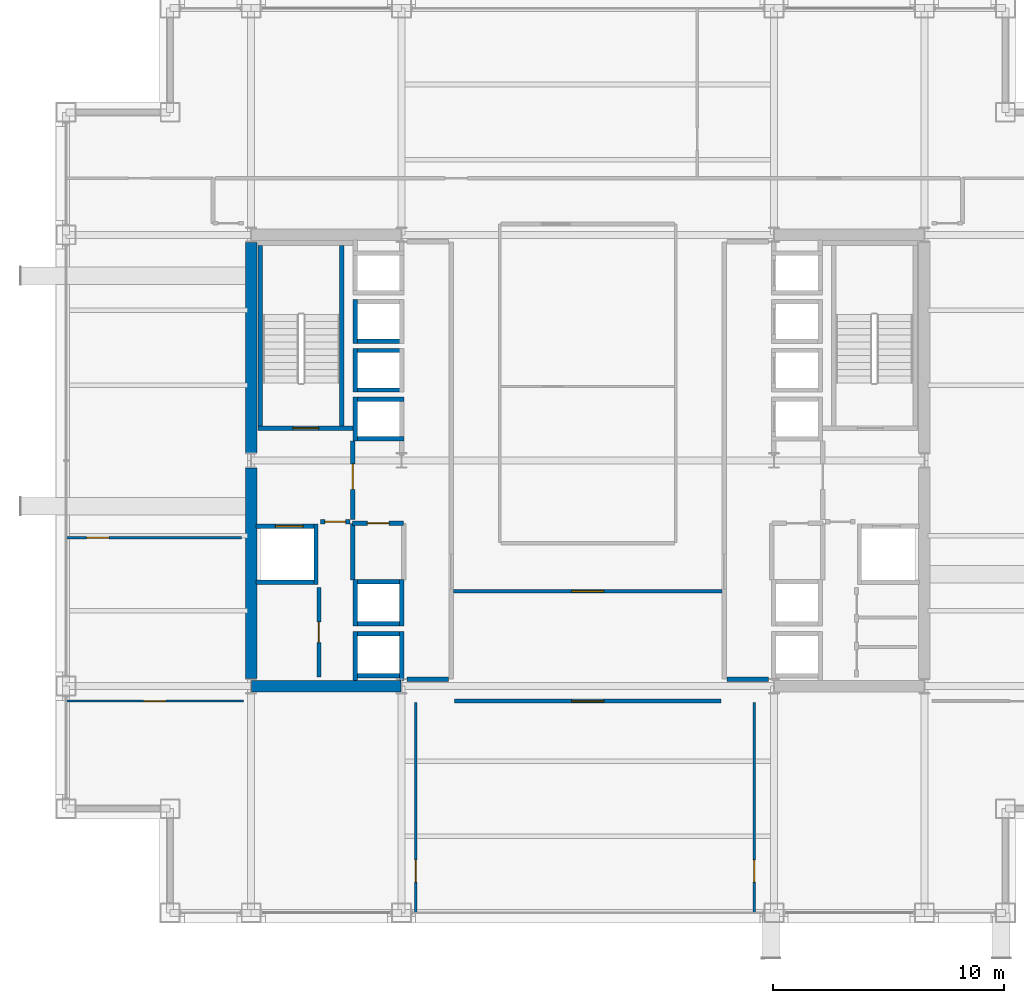
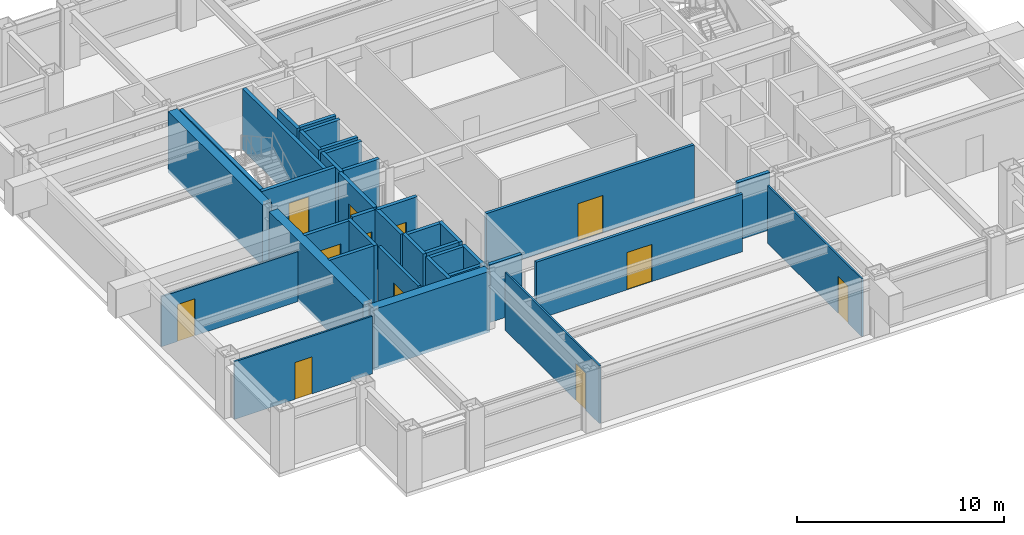
# One storey, part 24 of 28: 38 walls, 12 doors, 12 openings.
"""IFC4 building model written with IfcOpenShell, lengths in metres."""

import ifcopenshell
import ifcopenshell.guid

model = None  # the IFC model being written
_history = None  # IfcOwnerHistory: only IFC2X3 demands one
_inside = {}  # id of a spatial element -> (the spatial element, [elements in it])
_under = {}  # id of a project, library or spatial element -> (it, [spatial elements below it])
_declared = {}  # id of a project -> (the project, [libraries it declares])
_typed = {}  # id of a type object -> (the type object, [elements of that type])
_made_of = {}  # id of a material, layer set ... -> (it, [elements and type objects made of it])


def new_model(schema):
    """Start an empty IFC model of exactly this schema.

    Asked for "IFC4X3", IfcOpenShell would pick the latest addendum, in which some entities
    have other attributes; the version numbers below select the first issue.
    IFC2X3 requires an IfcOwnerHistory on every rooted entity: one is made here for all.
    """
    global model, _history
    if schema == "IFC4X3":
        model = ifcopenshell.file(schema_version=(4, 3, 0, 0))
    else:
        model = ifcopenshell.file(schema=schema)
    _inside.clear()
    _under.clear()
    _declared.clear()
    _typed.clear()
    _made_of.clear()
    _history = None
    if model.schema == "IFC2X3":
        org = make("IfcOrganization", Name="unknown")
        user = make(
            "IfcPersonAndOrganization",
            ThePerson=make("IfcPerson", FamilyName="unknown"),
            TheOrganization=org,
        )
        app = make(
            "IfcApplication",
            ApplicationDeveloper=org,
            Version="unknown",
            ApplicationFullName="unknown",
            ApplicationIdentifier="unknown",
        )
        _history = make(
            "IfcOwnerHistory",
            OwningUser=user,
            OwningApplication=app,
            ChangeAction="ADDED",
            CreationDate=0,
        )
    return model


def make(cls, **values):
    """One entity of the class cls with the attributes given. An attribute that is None is left unset."""
    return model.create_entity(
        cls, **{name: value for name, value in values.items() if value is not None}
    )


def rooted(cls, **values):
    """An entity with a GlobalId (a new one), such as an element, a storey or a relation."""
    return make(cls, GlobalId=ifcopenshell.guid.new(), OwnerHistory=_history, **values)


def si_unit(unit_type, name, prefix=None):
    """IfcSIUnit, for example si_unit("LENGTHUNIT", "METRE", prefix="MILLI")."""
    return make("IfcSIUnit", UnitType=unit_type, Prefix=prefix, Name=name)


def assignment(units):
    """IfcUnitAssignment: the units of a project."""
    return None if units is None else make("IfcUnitAssignment", Units=units)


def point(xyz):
    """IfcCartesianPoint."""
    return None if xyz is None else make("IfcCartesianPoint", Coordinates=xyz)


def direction(xyz):
    """IfcDirection."""
    return None if xyz is None else make("IfcDirection", DirectionRatios=xyz)


def frame(location, z_axis=None, x_axis=None):
    """IfcAxis2Placement3D, a coordinate frame: its origin and axes. An axis left out is left unset."""
    return make(
        "IfcAxis2Placement3D",
        Location=point(location),
        Axis=direction(z_axis),
        RefDirection=direction(x_axis),
    )


def frame_2d(location, x_axis=None):
    """IfcAxis2Placement2D, a coordinate frame in the plane: its origin and x axis."""
    return make(
        "IfcAxis2Placement2D", Location=point(location), RefDirection=direction(x_axis)
    )


def origin():
    """The frame at (0, 0, 0) with its axes left unset."""
    return frame((0.0, 0.0, 0.0))


def place(relative_to, where):
    """IfcLocalPlacement: puts the frame where relative to a parent placement (None: the world)."""
    return make(
        "IfcLocalPlacement", PlacementRelTo=relative_to, RelativePlacement=where
    )


def context(
    kind, dimensions, precision=None, world=None, true_north=None, identifier=None
):
    """IfcGeometricRepresentationContext, for example the 3D "Model" context."""
    return make(
        "IfcGeometricRepresentationContext",
        ContextIdentifier=identifier,
        ContextType=kind,
        CoordinateSpaceDimension=dimensions,
        Precision=precision,
        WorldCoordinateSystem=world,
        TrueNorth=true_north,
    )


def subcontext(parent, identifier, kind, view, scale=None):
    """IfcGeometricRepresentationSubContext, for example "Body" below "Model"."""
    return make(
        "IfcGeometricRepresentationSubContext",
        ContextIdentifier=identifier,
        ContextType=kind,
        ParentContext=parent,
        TargetScale=scale,
        TargetView=view,
    )


def project(units=None, contexts=None):
    """IfcProject with its units and contexts."""
    return rooted(
        "IfcProject",
        Name="project",
        RepresentationContexts=contexts,
        UnitsInContext=assignment(units),
    )


def spatial(cls, under=None, at=None, **own):
    """A site, building, storey or space (cls), placed at a placement, below another one or the project."""
    s = rooted(cls, ObjectPlacement=at, **own)
    if under is not None:
        _under.setdefault(under.id(), (under, []))[1].append(s)
    return s


def profile(cls, at=None, kind="AREA", **sizes):
    """A parametric profile (cls). Its sizes go by their IFC names, for example OverallWidth=200.0."""
    return make(cls, ProfileType=kind, Position=at, **sizes)


def rectangle(**sizes):
    """IfcRectangleProfileDef."""
    return profile("IfcRectangleProfileDef", **sizes)


def extrude(swept, where, along, depth):
    """IfcExtrudedAreaSolid: the profile swept, set in the frame where, extruded along a direction by depth."""
    return make(
        "IfcExtrudedAreaSolid",
        SweptArea=swept,
        Position=where,
        ExtrudedDirection=direction(along),
        Depth=depth,
    )


def shape(context_of_items, identifier, shape_type, items):
    """IfcShapeRepresentation: the items that make up one representation, for example the "Body"."""
    return make(
        "IfcShapeRepresentation",
        ContextOfItems=context_of_items,
        RepresentationIdentifier=identifier,
        RepresentationType=shape_type,
        Items=items,
    )


def material(Name=None, Category=None):
    """IfcMaterial."""
    return make("IfcMaterial", Name=Name, Category=Category)


def layer(
    of_material, thickness, ventilated=None, Name=None, Category=None, Priority=None
):
    """IfcMaterialLayer: one layer of a wall or slab, of a material (None: an air gap)."""
    return make(
        "IfcMaterialLayer",
        Material=of_material,
        LayerThickness=thickness,
        IsVentilated=ventilated,
        Name=Name,
        Category=Category,
        Priority=Priority,
    )


def layer_set(layers, Name=None):
    """IfcMaterialLayerSet."""
    return make("IfcMaterialLayerSet", MaterialLayers=layers, LayerSetName=Name)


def made_of(thing, what):
    """Note that an element or type object is made of a material, layer set ...; save() writes the relation."""
    if what is not None:
        _made_of.setdefault(what.id(), (what, []))[1].append(thing)
    return thing


def type_object(cls, material=None, **own):
    """A type object (cls), such as IfcWallType, which elements share."""
    return made_of(rooted(cls, **own), material)


def element(
    cls,
    number,
    at=None,
    inside=None,
    cuts=None,
    type_object=None,
    material=None,
    context=None,
    identifier="Body",
    shape_type=None,
    held_by="IfcProductDefinitionShape",
    body=None,
    shapes=None,
    **own,
):
    """One element of the class cls, such as IfcWall. Its Tag is "e" and its number.

    at: its placement. inside: the storey or other place that contains it. cuts: it is an
    opening in that element (IfcRelVoidsElement). A single representation is given by context,
    identifier, shape_type and body (its items); several are given by shapes. held_by: the class
    of the entity that holds the representations. save() writes the other relations.
    """
    e = rooted(cls, Tag="e%d" % number, ObjectPlacement=at, **own)
    if body is not None:
        shapes = [shape(context, identifier, shape_type, body)]
    if shapes is not None:
        e.Representation = make(held_by, Representations=shapes)
    if inside is not None:
        _inside.setdefault(inside.id(), (inside, []))[1].append(e)
    if cuts is not None:
        rooted(
            "IfcRelVoidsElement", RelatingBuildingElement=cuts, RelatedOpeningElement=e
        )
    if type_object is not None:
        _typed.setdefault(type_object.id(), (type_object, []))[1].append(e)
    return made_of(e, material)


def fill(opening, filler):
    """IfcRelFillsElement: the door or window that sits in an opening."""
    return rooted(
        "IfcRelFillsElement",
        RelatingOpeningElement=opening,
        RelatedBuildingElement=filler,
    )


def aggregate(whole, parts):
    """IfcRelAggregates: a whole, such as a stair, and the parts it consists of."""
    return rooted("IfcRelAggregates", RelatingObject=whole, RelatedObjects=parts)


def save(model, path):
    """Write the relations noted so far, then the file.

    IfcRelAggregates (storeys below a building ...), IfcRelContainedInSpatialStructure (elements
    in a storey), IfcRelDefinesByType, IfcRelAssociatesMaterial and IfcRelDeclares: one each for
    every whole, place, type object, material and project.
    """
    for whole, parts in _under.values():
        aggregate(whole, parts)
    for where, things in _inside.values():
        rooted(
            "IfcRelContainedInSpatialStructure",
            RelatedElements=things,
            RelatingStructure=where,
        )
    for kind, things in _typed.values():
        rooted("IfcRelDefinesByType", RelatedObjects=things, RelatingType=kind)
    for what, things in _made_of.values():
        rooted("IfcRelAssociatesMaterial", RelatedObjects=things, RelatingMaterial=what)
    for by, libraries in _declared.values():
        rooted("IfcRelDeclares", RelatingContext=by, RelatedDefinitions=libraries)
    model.write(path)


model = new_model("IFC4")

# Units and contexts
model_context = context("Model", 3, precision=1e-05, world=origin(), true_north=direction((0.0, 1.0)))
body_context = subcontext(model_context, "Body", "Model", "MODEL_VIEW")
ifc_project = project(units=[si_unit("LENGTHUNIT", "METRE"), si_unit("AREAUNIT", "SQUARE_METRE"), si_unit("VOLUMEUNIT", "CUBIC_METRE"), si_unit("PLANEANGLEUNIT", "RADIAN"), si_unit("MASSUNIT", "GRAM", prefix="KILO")], contexts=[model_context])

# Site, building, storey
site_placement = place(None, origin())
site = spatial("IfcSite", under=ifc_project, at=site_placement, CompositionType="ELEMENT")
building_placement = place(site_placement, origin())
building = spatial("IfcBuilding", under=site, at=building_placement, Name="Brelmoor Portico Tower", CompositionType="ELEMENT")
storey_placement = place(building_placement, frame((0.0, 0.0, 91.800048828125)))
storey = spatial("IfcBuildingStorey", under=building, at=storey_placement, Name="L23", CompositionType="ELEMENT", Elevation=91.800048828125)

# Walls
ifc_material_1 = material(Name="Concrete C60", Category="concrete")
ifc_layer_1 = layer(ifc_material_1, 0.5)
ifc_layer_set_1 = layer_set([ifc_layer_1], Name="Concrete C60")
wall_type_1 = type_object("IfcWallType", Name="WL-CORE-500", PredefinedType="SHEAR", material=ifc_layer_set_1)
wall_1_placement = place(storey_placement, frame((-14.530029296875, -9.75, -0.199951171875), z_axis=(0.0, 0.0, 1.0), x_axis=(1.0, 0.0, 0.0)))
element("IfcWall", 1, at=wall_1_placement, inside=storey, type_object=wall_type_1, Name="L23 WC South Shear Wall", PredefinedType="SHEAR", context=body_context, shape_type="SweptSolid", body=[
    extrude(rectangle(XDim=6.4599609375, YDim=0.5, at=frame_2d((3.22998046875, 0.0))), origin(), (0.0, 0.0, 1.0), 3.599853515625),
])
for number, where, z_axis, x_axis, name in (
    (2, (-14.550048828125, -9.425048828125, -0.199951171875), (0.0, 0.0, 1.0), (0.0, 1.0, 0.0), "L23 WC Outer South Shear Wall"),
    (3, (-14.550048828125, 0.324951171875, -0.199951171875), (0.0, 0.0, 1.0), (0.0, 1.0, 0.0), "L23 WC Outer North Shear Wall"),
):
    element("IfcWall", number, at=place(storey_placement, frame(where, z_axis=z_axis, x_axis=x_axis)), inside=storey, type_object=wall_type_1, Name=name, PredefinedType="SHEAR", context=body_context, shape_type="SweptSolid", body=[
        extrude(rectangle(XDim=9.10009765625, YDim=0.5, at=frame_2d((4.550048828125, 0.0))), origin(), (0.0, 0.0, 1.0), 3.599853515625),
    ])

# Wall, opening, door
ifc_material_2 = material(Name="Demountable Glazed Office Partition", Category="aluminium")
ifc_layer_2 = layer(ifc_material_2, 0.10009765625)
ifc_layer_set_2 = layer_set([ifc_layer_2], Name="Demountable Glazed Office Partition")
wall_type_2 = type_object("IfcWallType", Name="WL-PART-100", PredefinedType="PARTITIONING", material=ifc_layer_set_2)
wall_2_placement = place(storey_placement, frame((-7.4404296875, -19.56005859375, 0.0), z_axis=(0.0, 0.0, 1.0), x_axis=(0.0, 1.0, 0.0)))
wall_2 = element("IfcWall", 4, at=wall_2_placement, inside=storey, type_object=wall_type_2, Name="L23 South Suite Partition 1", PredefinedType="PARTITIONING", context=body_context, shape_type="SweptSolid", body=[
    extrude(rectangle(XDim=9.10009765625, YDim=0.10009765625, at=frame_2d((4.550048828125, 0.0))), origin(), (0.0, 0.0, 1.0), 3.39990234375),
])
opening_1_placement = place(wall_2_placement, frame((1.340087890625, 0.0, 0.0)))
opening_1 = element("IfcOpeningElement", 5, at=opening_1_placement, cuts=wall_2, Name="Opening D-IN2", PredefinedType="OPENING", context=body_context, shape_type="SweptSolid", body=[
    extrude(rectangle(XDim=0.9599609375, YDim=2.179931640625, at=frame_2d((0.47998046875, 1.08984375))), frame((0.0, 0.06005859375, 0.0), z_axis=(0.0, -1.0, 0.0), x_axis=(1.0, 0.0, 0.0)), (0.0, 0.0, 1.0), 0.1201171875),
])
ifc_material_3 = material(Name="Lacquered Timber Suite Door", Category="wood")
door_type_1 = type_object("IfcDoorType", Name="DR-INT-950", OperationType="NOTDEFINED", PredefinedType="DOOR", material=ifc_material_3)
door_1_placement = place(opening_1_placement, origin())
door_1 = element("IfcDoor", 6, at=door_1_placement, inside=storey, type_object=door_type_1, Name="D-1037 L23 South Suite Connecting Door 1", OperationType="SINGLE_SWING_LEFT", OverallHeight=2.179931640625, OverallWidth=0.9599609375, PredefinedType="DOOR", context=body_context, shape_type="SweptSolid", body=[
    extrude(rectangle(XDim=0.9599609375, YDim=2.179931640625, at=frame_2d((0.47998046875, 1.08984375))), frame((0.0, 0.02490234375, 0.0), z_axis=(0.0, -1.0, 0.0), x_axis=(1.0, 0.0, 0.0)), (0.0, 0.0, 1.0), 0.050048828125),
])
fill(opening_1, door_1)

wall_3_placement = place(storey_placement, frame((7.199951171875, -19.56005859375, 0.0), z_axis=(0.0, 0.0, 1.0), x_axis=(0.0, 1.0, 0.0)))
wall_3 = element("IfcWall", 7, at=wall_3_placement, inside=storey, type_object=wall_type_2, Name="L23 South Suite Partition 2", PredefinedType="PARTITIONING", context=body_context, shape_type="SweptSolid", body=[
    extrude(rectangle(XDim=9.10009765625, YDim=0.10009765625, at=frame_2d((4.550048828125, 0.0))), origin(), (0.0, 0.0, 1.0), 3.39990234375),
])
opening_2_placement = place(wall_3_placement, frame((1.340087890625, 0.0, 0.0)))
opening_2 = element("IfcOpeningElement", 8, at=opening_2_placement, cuts=wall_3, Name="Opening D-IN2", PredefinedType="OPENING", context=body_context, shape_type="SweptSolid", body=[
    extrude(rectangle(XDim=0.9599609375, YDim=2.179931640625, at=frame_2d((0.47998046875, 1.08984375))), frame((0.0, 0.06005859375, 0.0), z_axis=(0.0, -1.0, 0.0), x_axis=(1.0, 0.0, 0.0)), (0.0, 0.0, 1.0), 0.1201171875),
])
door_2_placement = place(opening_2_placement, origin())
door_2 = element("IfcDoor", 9, at=door_2_placement, inside=storey, type_object=door_type_1, Name="D-1038 L23 South Suite Connecting Door 2", OperationType="SINGLE_SWING_RIGHT", OverallHeight=2.179931640625, OverallWidth=0.9599609375, PredefinedType="DOOR", context=body_context, shape_type="SweptSolid", body=[
    extrude(rectangle(XDim=0.9599609375, YDim=2.179931640625, at=frame_2d((0.47998046875, 1.08984375))), frame((0.0, 0.02490234375, 0.0), z_axis=(0.0, -1.0, 0.0), x_axis=(1.0, 0.0, 0.0)), (0.0, 0.0, 1.0), 0.050048828125),
])
fill(opening_2, door_2)

wall_4_placement = place(storey_placement, frame((-22.56005859375, -10.39990234375, 0.0), z_axis=(0.0, 0.0, 1.0), x_axis=(1.0, 0.0, 0.0)))
wall_4 = element("IfcWall", 10, at=wall_4_placement, inside=storey, type_object=wall_type_2, Name="L23 South Wing Closure WL", PredefinedType="PARTITIONING", context=body_context, shape_type="SweptSolid", body=[
    extrude(rectangle(XDim=7.68017578125, YDim=0.10009765625, at=frame_2d((3.840087890625, 0.0))), origin(), (0.0, 0.0, 1.0), 3.39990234375),
])
opening_3_placement = place(wall_4_placement, frame((3.360107421875, 0.0, 0.0)))
opening_3 = element("IfcOpeningElement", 11, at=opening_3_placement, cuts=wall_4, Name="Opening D-IN2", PredefinedType="OPENING", context=body_context, shape_type="SweptSolid", body=[
    extrude(rectangle(XDim=0.9599609375, YDim=2.179931640625, at=frame_2d((0.47998046875, 1.08984375))), frame((0.0, 0.06005859375, 0.0), z_axis=(0.0, -1.0, 0.0), x_axis=(1.0, 0.0, 0.0)), (0.0, 0.0, 1.0), 0.1201171875),
])
door_3_placement = place(opening_3_placement, origin())
door_3 = element("IfcDoor", 12, at=door_3_placement, inside=storey, type_object=door_type_1, Name="D-1042 L23 WL Wing South Suite Door", OperationType="SINGLE_SWING_LEFT", OverallHeight=2.179931640625, OverallWidth=0.9599609375, PredefinedType="DOOR", context=body_context, shape_type="SweptSolid", body=[
    extrude(rectangle(XDim=0.9599609375, YDim=2.179931640625, at=frame_2d((0.47998046875, 1.08984375))), frame((0.0, 0.02490234375, 0.0), z_axis=(0.0, -1.0, 0.0), x_axis=(1.0, 0.0, 0.0)), (0.0, 0.0, 1.0), 0.050048828125),
])
fill(opening_3, door_3)

wall_5_placement = place(storey_placement, frame((-22.56005859375, -3.33642578125, 0.0), z_axis=(0.0, 0.0, 1.0), x_axis=(1.0, 0.0, 0.0)))
wall_5 = element("IfcWall", 13, at=wall_5_placement, inside=storey, type_object=wall_type_2, Name="L23 W Wing Partition 1", PredefinedType="PARTITIONING", context=body_context, shape_type="SweptSolid", body=[
    extrude(rectangle(XDim=7.60009765625, YDim=0.10009765625, at=frame_2d((3.800048828125, 0.0))), origin(), (0.0, 0.0, 1.0), 2.949951171875),
])
opening_4_placement = place(wall_5_placement, frame((0.89990234375, 0.0, 0.0)))
opening_4 = element("IfcOpeningElement", 14, at=opening_4_placement, cuts=wall_5, Name="Opening D-IN2", PredefinedType="OPENING", context=body_context, shape_type="SweptSolid", body=[
    extrude(rectangle(XDim=0.9599609375, YDim=2.179931640625, at=frame_2d((0.47998046875, 1.08984375))), frame((0.0, 0.06005859375, 0.0), z_axis=(0.0, -1.0, 0.0), x_axis=(1.0, 0.0, 0.0)), (0.0, 0.0, 1.0), 0.1201171875),
])
door_4_placement = place(opening_4_placement, origin())
door_4 = element("IfcDoor", 15, at=door_4_placement, inside=storey, type_object=door_type_1, Name="D-1045 L23 W Wing Suite Connecting Door 1", OperationType="SINGLE_SWING_RIGHT", OverallHeight=2.179931640625, OverallWidth=0.9599609375, PredefinedType="DOOR", context=body_context, shape_type="SweptSolid", body=[
    extrude(rectangle(XDim=0.9599609375, YDim=2.179931640625, at=frame_2d((0.47998046875, 1.08984375))), frame((0.0, 0.02490234375, 0.0), z_axis=(0.0, -1.0, 0.0), x_axis=(1.0, 0.0, 0.0)), (0.0, 0.0, 1.0), 0.050048828125),
])
fill(opening_4, door_4)

ifc_material_4 = material(Name="Twin-Frame Acoustic Partition", Category="gypsum")
ifc_layer_3 = layer(ifc_material_4, 0.159912109375)
ifc_layer_set_3 = layer_set([ifc_layer_3], Name="Twin-Frame Acoustic Partition")
wall_type_3 = type_object("IfcWallType", Name="WL-PART-160", PredefinedType="PARTITIONING", material=ifc_layer_set_3)
wall_6_placement = place(storey_placement, frame((-11.6201171875, -9.35009765625, 0.0), z_axis=(0.0, 0.0, 1.0), x_axis=(0.0, 1.0, 0.0)))
wall_6 = element("IfcWall", 16, at=wall_6_placement, inside=storey, type_object=wall_type_3, Name="L23 W Core Service Front Wall", PredefinedType="PARTITIONING", context=body_context, shape_type="SweptSolid", body=[
    extrude(rectangle(XDim=3.85009765625, YDim=0.159912109375, at=frame_2d((1.925048828125, 0.0))), origin(), (0.0, 0.0, 1.0), 3.39990234375),
])
opening_5_placement = place(wall_6_placement, frame((1.47509765625, 0.0, 0.0)))
opening_5 = element("IfcOpeningElement", 17, at=opening_5_placement, cuts=wall_6, Name="Opening D-IN1", PredefinedType="OPENING", context=body_context, shape_type="SweptSolid", body=[
    extrude(rectangle(XDim=0.89990234375, YDim=2.14990234375, at=frame_2d((0.449951171875, 1.074951171875))), frame((0.0, 0.08984375, 0.0), z_axis=(0.0, -1.0, 0.0), x_axis=(1.0, 0.0, 0.0)), (0.0, 0.0, 1.0), 0.179931640625),
])
door_type_2 = type_object("IfcDoorType", Name="DR-INT-900", OperationType="NOTDEFINED", PredefinedType="DOOR", material=ifc_material_3)
door_5_placement = place(opening_5_placement, origin())
door_5 = element("IfcDoor", 18, at=door_5_placement, inside=storey, type_object=door_type_2, Name="D-1024 L23 W Accessible WC Door", OperationType="SINGLE_SWING_LEFT", OverallHeight=2.14990234375, OverallWidth=0.89990234375, PredefinedType="DOOR", context=body_context, shape_type="SweptSolid", body=[
    extrude(rectangle(XDim=0.89990234375, YDim=2.14990234375, at=frame_2d((0.449951171875, 1.074951171875))), frame((0.0, 0.02490234375, 0.0), z_axis=(0.0, -1.0, 0.0), x_axis=(1.0, 0.0, 0.0)), (0.0, 0.0, 1.0), 0.050048828125),
])
fill(opening_5, door_5)

wall_7_placement = place(storey_placement, frame((-5.800048828125, -5.64990234375, 0.0), z_axis=(0.0, 0.0, 1.0), x_axis=(1.0, 0.0, 0.0)))
wall_7 = element("IfcWall", 19, at=wall_7_placement, inside=storey, type_object=wall_type_3, Name="L23 South Hub Corridor Wall", PredefinedType="PARTITIONING", context=body_context, shape_type="SweptSolid", body=[
    extrude(rectangle(XDim=11.60009765625, YDim=0.159912109375, at=frame_2d((5.800048828125, 0.0))), origin(), (0.0, 0.0, 1.0), 3.39990234375),
])
opening_6_placement = place(wall_7_placement, frame((5.10009765625, 0.0, 0.0)))
opening_6 = element("IfcOpeningElement", 20, at=opening_6_placement, cuts=wall_7, Name="Opening D-SU2", PredefinedType="OPENING", context=body_context, shape_type="SweptSolid", body=[
    extrude(rectangle(XDim=1.39990234375, YDim=2.199951171875, at=frame_2d((0.699951171875, 1.10009765625))), frame((0.0, 0.08984375, 0.0), z_axis=(0.0, -1.0, 0.0), x_axis=(1.0, 0.0, 0.0)), (0.0, 0.0, 1.0), 0.179931640625),
])
ifc_material_5 = material(Name="Double-Leaf Acoustic Suite Door", Category="timber")
door_type_3 = type_object("IfcDoorType", Name="DR-SUITE-1400", OperationType="NOTDEFINED", PredefinedType="DOOR", material=ifc_material_5)
door_6_placement = place(opening_6_placement, origin())
door_6 = element("IfcDoor", 21, at=door_6_placement, inside=storey, type_object=door_type_3, Name="D-1016 L23 South Reception Hub Door", OperationType="DOUBLE_DOOR_SINGLE_SWING", OverallHeight=2.199951171875, OverallWidth=1.39990234375, PredefinedType="DOOR", context=body_context, shape_type="SweptSolid", body=[
    extrude(rectangle(XDim=1.39990234375, YDim=2.199951171875, at=frame_2d((0.699951171875, 1.10009765625))), frame((0.0, 0.02490234375, 0.0), z_axis=(0.0, -1.0, 0.0), x_axis=(1.0, 0.0, 0.0)), (0.0, 0.0, 1.0), 0.050048828125),
])
fill(opening_6, door_6)

wall_8_placement = place(storey_placement, frame((-5.75, -10.39990234375, 0.0), z_axis=(0.0, 0.0, 1.0), x_axis=(1.0, 0.0, 0.0)))
wall_8 = element("IfcWall", 22, at=wall_8_placement, inside=storey, type_object=wall_type_3, Name="L23 South Corridor Partition", PredefinedType="PARTITIONING", context=body_context, shape_type="SweptSolid", body=[
    extrude(rectangle(XDim=11.5, YDim=0.159912109375, at=frame_2d((5.75, 0.0))), origin(), (0.0, 0.0, 1.0), 3.39990234375),
])
opening_7_placement = place(wall_8_placement, frame((5.050048828125, 0.0, 0.0)))
opening_7 = element("IfcOpeningElement", 23, at=opening_7_placement, cuts=wall_8, Name="Opening D-SU2", PredefinedType="OPENING", context=body_context, shape_type="SweptSolid", body=[
    extrude(rectangle(XDim=1.39990234375, YDim=2.199951171875, at=frame_2d((0.699951171875, 1.10009765625))), frame((0.0, 0.08984375, 0.0), z_axis=(0.0, -1.0, 0.0), x_axis=(1.0, 0.0, 0.0)), (0.0, 0.0, 1.0), 0.179931640625),
])
door_7_placement = place(opening_7_placement, origin())
door_7 = element("IfcDoor", 24, at=door_7_placement, inside=storey, type_object=door_type_3, Name="D-1036 L23 South Open-Plan Office 2 Door", OperationType="DOUBLE_DOOR_SINGLE_SWING", OverallHeight=2.199951171875, OverallWidth=1.39990234375, PredefinedType="DOOR", context=body_context, shape_type="SweptSolid", body=[
    extrude(rectangle(XDim=1.39990234375, YDim=2.199951171875, at=frame_2d((0.699951171875, 1.10009765625))), frame((0.0, 0.02490234375, 0.0), z_axis=(0.0, -1.0, 0.0), x_axis=(1.0, 0.0, 0.0)), (0.0, 0.0, 1.0), 0.050048828125),
])
fill(opening_7, door_7)

# Wall
ifc_material_6 = material(Name="Double-Stud Gypsum Fire Partition", Category="gypsum")
ifc_layer_4 = layer(ifc_material_6, 0.199951171875)
ifc_layer_set_4 = layer_set([ifc_layer_4], Name="Double-Stud Gypsum Fire Partition")
wall_type_4 = type_object("IfcWallType", Name="WL-PART-200", PredefinedType="PARTITIONING", material=ifc_layer_set_4)
wall_9_placement = place(storey_placement, frame((-6.02001953125, -9.449951171875, 0.0), z_axis=(0.0, 0.0, 1.0), x_axis=(-1.0, 0.0, 0.0)))
element("IfcWall", 25, at=wall_9_placement, inside=storey, type_object=wall_type_4, Name="L23 W Lift Lobby South End Wall", PredefinedType="PARTITIONING", context=body_context, shape_type="SweptSolid", body=[
    extrude(rectangle(XDim=1.800048828125, YDim=0.199951171875, at=frame_2d((0.89990234375, 0.0))), origin(), (0.0, 0.0, 1.0), 3.39990234375),
])

# Wall, opening, door
wall_10_placement = place(storey_placement, frame((-10.159912109375, -2.550048828125, 0.0), z_axis=(0.0, 0.0, 1.0), x_axis=(0.0, 1.0, 0.0)))
wall_10 = element("IfcWall", 26, at=wall_10_placement, inside=storey, type_object=wall_type_4, Name="L23 W Firefighting Lobby Wall", PredefinedType="PARTITIONING", context=body_context, shape_type="SweptSolid", body=[
    extrude(rectangle(XDim=3.400146484375, YDim=0.199951171875, at=frame_2d((1.7001953125, 0.0))), origin(), (0.0, 0.0, 1.0), 3.39990234375),
])
opening_8_placement = place(wall_10_placement, frame((1.300048828125, 0.0, 0.0)))
opening_8 = element("IfcOpeningElement", 27, at=opening_8_placement, cuts=wall_10, Name="Opening D-FR1", PredefinedType="OPENING", context=body_context, shape_type="SweptSolid", body=[
    extrude(rectangle(XDim=1.10009765625, YDim=2.14990234375, at=frame_2d((0.550048828125, 1.074951171875))), frame((0.0, 0.10986328125, 0.0), z_axis=(0.0, -1.0, 0.0), x_axis=(1.0, 0.0, 0.0)), (0.0, 0.0, 1.0), 0.219970703125),
])
ifc_material_7 = material(Name="Painted Galvanised Steel Fire Door", Category="steel")
door_type_4 = type_object("IfcDoorType", Name="DR-FIRE-1100", OperationType="NOTDEFINED", PredefinedType="DOOR", material=ifc_material_7)
door_8_placement = place(opening_8_placement, origin())
door_8 = element("IfcDoor", 28, at=door_8_placement, inside=storey, type_object=door_type_4, Name="D-1028 L23 W Firefighting Lobby Door", OperationType="SINGLE_SWING_RIGHT", OverallHeight=2.14990234375, OverallWidth=1.10009765625, PredefinedType="DOOR", context=body_context, shape_type="SweptSolid", body=[
    extrude(rectangle(XDim=1.10009765625, YDim=2.14990234375, at=frame_2d((0.550048828125, 1.074951171875))), frame((0.0, 0.02490234375, 0.0), z_axis=(0.0, -1.0, 0.0), x_axis=(1.0, 0.0, 0.0)), (0.0, 0.0, 1.0), 0.050048828125),
])
fill(opening_8, door_8)

wall_11_placement = place(storey_placement, frame((-10.280029296875, -2.64990234375, 0.0), z_axis=(0.0, 0.0, 1.0), x_axis=(-1.0, 0.0, 0.0)))
wall_11 = element("IfcWall", 29, at=wall_11_placement, inside=storey, type_object=wall_type_4, Name="L23 W Firefighting Lobby South Wall", PredefinedType="PARTITIONING", context=body_context, shape_type="SweptSolid", body=[
    extrude(rectangle(XDim=1.27001953125, YDim=0.199951171875, at=frame_2d((0.635009765625, 0.0))), origin(), (0.0, 0.0, 1.0), 3.39990234375),
])
opening_9_placement = place(wall_11_placement, frame((0.18505859375, 0.0, 0.0)))
opening_9 = element("IfcOpeningElement", 30, at=opening_9_placement, cuts=wall_11, Name="Opening D-IN1", PredefinedType="OPENING", context=body_context, shape_type="SweptSolid", body=[
    extrude(rectangle(XDim=0.89990234375, YDim=2.14990234375, at=frame_2d((0.449951171875, 1.074951171875))), frame((0.0, 0.10986328125, 0.0), z_axis=(0.0, -1.0, 0.0), x_axis=(1.0, 0.0, 0.0)), (0.0, 0.0, 1.0), 0.219970703125),
])
door_9_placement = place(opening_9_placement, origin())
door_9 = element("IfcDoor", 31, at=door_9_placement, inside=storey, type_object=door_type_2, Name="D-1023 L23 W Core Service Vestibule Door", OperationType="SINGLE_SWING_LEFT", OverallHeight=2.14990234375, OverallWidth=0.89990234375, PredefinedType="DOOR", context=body_context, shape_type="SweptSolid", body=[
    extrude(rectangle(XDim=0.89990234375, YDim=2.14990234375, at=frame_2d((0.449951171875, 1.074951171875))), frame((0.0, 0.02490234375, 0.0), z_axis=(0.0, -1.0, 0.0), x_axis=(1.0, 0.0, 0.0)), (0.0, 0.0, 1.0), 0.050048828125),
])
fill(opening_9, door_9)

wall_12_placement = place(storey_placement, frame((-7.9599609375, -2.719970703125, 0.0), z_axis=(0.0, 0.0, 1.0), x_axis=(-1.0, 0.0, 0.0)))
wall_12 = element("IfcWall", 32, at=wall_12_placement, inside=storey, type_object=wall_type_4, Name="L23 W Electrical Switchgear Closet Wall", PredefinedType="PARTITIONING", context=body_context, shape_type="SweptSolid", body=[
    extrude(rectangle(XDim=2.199951171875, YDim=0.199951171875, at=frame_2d((1.10009765625, 0.0))), origin(), (0.0, 0.0, 1.0), 3.39990234375),
])
opening_10_placement = place(wall_12_placement, frame((0.6201171875, 0.0, 0.0)))
opening_10 = element("IfcOpeningElement", 33, at=opening_10_placement, cuts=wall_12, Name="Opening D-FR4", PredefinedType="OPENING", context=body_context, shape_type="SweptSolid", body=[
    extrude(rectangle(XDim=0.949951171875, YDim=2.10009765625, at=frame_2d((0.47509765625, 1.050048828125))), frame((0.0, 0.10986328125, 0.0), z_axis=(0.0, -1.0, 0.0), x_axis=(1.0, 0.0, 0.0)), (0.0, 0.0, 1.0), 0.219970703125),
])
ifc_material_8 = material(Name="Painted Galvanised Steel Riser Door", Category="steel")
door_type_5 = type_object("IfcDoorType", Name="DR-FIRE-950", OperationType="NOTDEFINED", PredefinedType="DOOR", material=ifc_material_8)
door_10_placement = place(opening_10_placement, origin())
door_10 = element("IfcDoor", 34, at=door_10_placement, inside=storey, type_object=door_type_5, Name="D-1026 L23 W Electrical Switchgear Closet Door", OperationType="SINGLE_SWING_RIGHT", OverallHeight=2.10009765625, OverallWidth=0.949951171875, PredefinedType="DOOR", context=body_context, shape_type="SweptSolid", body=[
    extrude(rectangle(XDim=0.949951171875, YDim=2.10009765625, at=frame_2d((0.47509765625, 1.050048828125))), frame((0.0, 0.02490234375, 0.0), z_axis=(0.0, -1.0, 0.0), x_axis=(1.0, 0.0, 0.0)), (0.0, 0.0, 1.0), 0.050048828125),
])
fill(opening_10, door_10)

# Walls
wall_13_placement = place(storey_placement, frame((-10.159912109375, -5.159912109375, 0.0), z_axis=(0.0, 0.0, 1.0), x_axis=(0.0, 1.0, 0.0)))
element("IfcWall", 35, at=wall_13_placement, inside=storey, type_object=wall_type_4, Name="L23 W Electrical Switchgear Closet Outer Wall", PredefinedType="PARTITIONING", context=body_context, shape_type="SweptSolid", body=[
    extrude(rectangle(XDim=2.43994140625, YDim=0.199951171875, at=frame_2d((1.219970703125, 0.0))), origin(), (0.0, 0.0, 1.0), 3.39990234375),
])
wall_14_placement = place(storey_placement, frame((6.02001953125, -9.449951171875, 0.0), z_axis=(0.0, 0.0, 1.0), x_axis=(1.0, 0.0, 0.0)))
element("IfcWall", 36, at=wall_14_placement, inside=storey, type_object=wall_type_4, Name="L23 E Lift Lobby South End Wall", PredefinedType="PARTITIONING", context=body_context, shape_type="SweptSolid", body=[
    extrude(rectangle(XDim=1.800048828125, YDim=0.199951171875, at=frame_2d((0.89990234375, 0.0))), origin(), (0.0, 0.0, 1.0), 3.39990234375),
])
ifc_material_9 = material(Name="Precast Concrete C40", Category="concrete")
ifc_layer_5 = layer(ifc_material_9, 0.18994140625)
ifc_layer_set_5 = layer_set([ifc_layer_5], Name="Precast Concrete C40")
wall_type_5 = type_object("IfcWallType", Name="WL-SHAFT-180", PredefinedType="SOLIDWALL", material=ifc_layer_set_5)
wall_15_placement = place(storey_placement, frame((-10.054931640625, 0.85009765625, -0.199951171875), z_axis=(0.0, 0.0, 1.0), x_axis=(0.0, 1.0, 0.0)))
element("IfcWall", 37, at=wall_15_placement, inside=storey, type_object=wall_type_5, Name="L23 Lift PL1 Hoistway Back Wall", PredefinedType="SOLIDWALL", context=body_context, shape_type="SweptSolid", body=[
    extrude(rectangle(XDim=1.89990234375, YDim=0.18994140625, at=frame_2d((0.949951171875, 0.0))), origin(), (0.0, 0.0, 1.0), 3.599853515625),
])
for number, where, z_axis, x_axis, name in (
    (38, (-10.14990234375, 2.655029296875, -0.199951171875), (0.0, 0.0, 1.0), (1.0, 0.0, 0.0), "L23 Lift PL1 Hoistway North Wall"),
    (39, (-10.14990234375, 0.945068359375, -0.199951171875), (0.0, 0.0, 1.0), (1.0, 0.0, 0.0), "L23 Lift PL1 Hoistway South Wall"),
):
    element("IfcWall", number, at=place(storey_placement, frame(where, z_axis=z_axis, x_axis=x_axis)), inside=storey, type_object=wall_type_5, Name=name, PredefinedType="SOLIDWALL", context=body_context, shape_type="SweptSolid", body=[
        extrude(rectangle(XDim=2.199951171875, YDim=0.18994140625, at=frame_2d((1.10009765625, 0.0))), origin(), (0.0, 0.0, 1.0), 3.599853515625),
    ])
wall_16_placement = place(storey_placement, frame((-10.054931640625, 2.949951171875, -0.199951171875), z_axis=(0.0, 0.0, 1.0), x_axis=(0.0, 1.0, 0.0)))
element("IfcWall", 40, at=wall_16_placement, inside=storey, type_object=wall_type_5, Name="L23 Lift PL2 Hoistway Back Wall", PredefinedType="SOLIDWALL", context=body_context, shape_type="SweptSolid", body=[
    extrude(rectangle(XDim=1.900146484375, YDim=0.18994140625, at=frame_2d((0.9501953125, 0.0))), origin(), (0.0, 0.0, 1.0), 3.599853515625),
])
for number, where, z_axis, x_axis, name in (
    (41, (-10.14990234375, 4.7548828125, -0.199951171875), (0.0, 0.0, 1.0), (1.0, 0.0, 0.0), "L23 Lift PL2 Hoistway North Wall"),
    (42, (-10.14990234375, 3.044921875, -0.199951171875), (0.0, 0.0, 1.0), (1.0, 0.0, 0.0), "L23 Lift PL2 Hoistway South Wall"),
):
    element("IfcWall", number, at=place(storey_placement, frame(where, z_axis=z_axis, x_axis=x_axis)), inside=storey, type_object=wall_type_5, Name=name, PredefinedType="SOLIDWALL", context=body_context, shape_type="SweptSolid", body=[
        extrude(rectangle(XDim=2.199951171875, YDim=0.18994140625, at=frame_2d((1.10009765625, 0.0))), origin(), (0.0, 0.0, 1.0), 3.599853515625),
    ])
wall_17_placement = place(storey_placement, frame((-10.054931640625, 5.050048828125, -0.199951171875), z_axis=(0.0, 0.0, 1.0), x_axis=(0.0, 1.0, 0.0)))
element("IfcWall", 43, at=wall_17_placement, inside=storey, type_object=wall_type_5, Name="L23 Lift PL3 Hoistway Back Wall", PredefinedType="SOLIDWALL", context=body_context, shape_type="SweptSolid", body=[
    extrude(rectangle(XDim=1.89990234375, YDim=0.18994140625, at=frame_2d((0.949951171875, 0.0))), origin(), (0.0, 0.0, 1.0), 3.599853515625),
])
wall_18_placement = place(storey_placement, frame((-10.14990234375, 5.14501953125, -0.199951171875), z_axis=(0.0, 0.0, 1.0), x_axis=(1.0, 0.0, 0.0)))
element("IfcWall", 44, at=wall_18_placement, inside=storey, type_object=wall_type_5, Name="L23 Lift PL3 Hoistway South Wall", PredefinedType="SOLIDWALL", context=body_context, shape_type="SweptSolid", body=[
    extrude(rectangle(XDim=2.199951171875, YDim=0.18994140625, at=frame_2d((1.10009765625, 0.0))), origin(), (0.0, 0.0, 1.0), 3.599853515625),
])
for number, where, z_axis, x_axis, name in (
    (45, (-8.044921875, -9.52001953125, -0.199951171875), (0.0, 0.0, 1.0), (0.0, 1.0, 0.0), "L23 Lift PH1 Hoistway Front Wall"),
    (46, (-10.054931640625, -9.52001953125, -0.199951171875), (0.0, 0.0, 1.0), (0.0, 1.0, 0.0), "L23 Lift PH1 Hoistway Back Wall"),
):
    element("IfcWall", number, at=place(storey_placement, frame(where, z_axis=z_axis, x_axis=x_axis)), inside=storey, type_object=wall_type_5, Name=name, PredefinedType="SOLIDWALL", context=body_context, shape_type="SweptSolid", body=[
        extrude(rectangle(XDim=2.1201171875, YDim=0.18994140625, at=frame_2d((1.06005859375, 0.0))), origin(), (0.0, 0.0, 1.0), 3.599853515625),
    ])
for number, where, z_axis, x_axis, name in (
    (47, (-10.14990234375, -7.4951171875, -0.199951171875), (0.0, 0.0, 1.0), (1.0, 0.0, 0.0), "L23 Lift PH1 Hoistway North Wall"),
    (48, (-10.14990234375, -9.304931640625, -0.199951171875), (0.0, 0.0, 1.0), (1.0, 0.0, 0.0), "L23 Lift PH1 Hoistway South Wall"),
):
    element("IfcWall", number, at=place(storey_placement, frame(where, z_axis=z_axis, x_axis=x_axis)), inside=storey, type_object=wall_type_5, Name=name, PredefinedType="SOLIDWALL", context=body_context, shape_type="SweptSolid", body=[
        extrude(rectangle(XDim=2.199951171875, YDim=0.18994140625, at=frame_2d((1.10009765625, 0.0))), origin(), (0.0, 0.0, 1.0), 3.599853515625),
    ])
for number, where, z_axis, x_axis, name in (
    (49, (-8.044921875, -7.14990234375, -0.199951171875), (0.0, 0.0, 1.0), (0.0, 1.0, 0.0), "L23 Lift PH2 Hoistway Front Wall"),
    (50, (-10.054931640625, -7.14990234375, -0.199951171875), (0.0, 0.0, 1.0), (0.0, 1.0, 0.0), "L23 Lift PH2 Hoistway Back Wall"),
):
    element("IfcWall", number, at=place(storey_placement, frame(where, z_axis=z_axis, x_axis=x_axis)), inside=storey, type_object=wall_type_5, Name=name, PredefinedType="SOLIDWALL", context=body_context, shape_type="SweptSolid", body=[
        extrude(rectangle(XDim=2.0, YDim=0.18994140625, at=frame_2d((1.0, 0.0))), origin(), (0.0, 0.0, 1.0), 3.599853515625),
    ])
for number, where, z_axis, x_axis, name in (
    (51, (-10.14990234375, -5.2451171875, -0.199951171875), (0.0, 0.0, 1.0), (1.0, 0.0, 0.0), "L23 Lift PH2 Hoistway North Wall"),
    (52, (-10.14990234375, -7.054931640625, -0.199951171875), (0.0, 0.0, 1.0), (1.0, 0.0, 0.0), "L23 Lift PH2 Hoistway South Wall"),
):
    element("IfcWall", number, at=place(storey_placement, frame(where, z_axis=z_axis, x_axis=x_axis)), inside=storey, type_object=wall_type_5, Name=name, PredefinedType="SOLIDWALL", context=body_context, shape_type="SweptSolid", body=[
        extrude(rectangle(XDim=2.199951171875, YDim=0.18994140625, at=frame_2d((1.10009765625, 0.0))), origin(), (0.0, 0.0, 1.0), 3.599853515625),
    ])

# Wall, opening, door
wall_19_placement = place(storey_placement, frame((-14.330078125, -2.844970703125, -0.199951171875), z_axis=(0.0, 0.0, 1.0), x_axis=(1.0, 0.0, 0.0)))
wall_19 = element("IfcWall", 53, at=wall_19_placement, inside=storey, type_object=wall_type_5, Name="L23 Lift FF1 Hoistway Front Wall", PredefinedType="SOLIDWALL", context=body_context, shape_type="SweptSolid", body=[
    extrude(rectangle(XDim=2.68017578125, YDim=0.18994140625, at=frame_2d((1.340087890625, 0.0))), origin(), (0.0, 0.0, 1.0), 3.599853515625),
])
opening_11_placement = place(wall_19_placement, frame((0.830078125, 0.0, 0.199951171875)))
opening_11 = element("IfcOpeningElement", 54, at=opening_11_placement, cuts=wall_19, Name="Opening LD-02", PredefinedType="OPENING", context=body_context, shape_type="SweptSolid", body=[
    extrude(rectangle(XDim=1.199951171875, YDim=2.199951171875, at=frame_2d((0.60009765625, 1.10009765625))), frame((0.0, 0.10498046875, 0.0), z_axis=(0.0, -1.0, 0.0), x_axis=(1.0, 0.0, 0.0)), (0.0, 0.0, 1.0), 0.2099609375),
])
ifc_material_10 = material(Name="Brushed Stainless Steel Firefighting Lift Door", Category="steel")
door_type_6 = type_object("IfcDoorType", Name="DR-LIFT-1200", OperationType="NOTDEFINED", PredefinedType="DOOR", material=ifc_material_10)
door_11_placement = place(opening_11_placement, origin())
door_11 = element("IfcDoor", 55, at=door_11_placement, inside=storey, type_object=door_type_6, Name="D-1046 L23 Lift FF1 Sliding Landing Door", OperationType="SLIDING_TO_LEFT", OverallHeight=2.199951171875, OverallWidth=1.199951171875, PredefinedType="DOOR", context=body_context, shape_type="SweptSolid", body=[
    extrude(rectangle(XDim=1.199951171875, YDim=2.199951171875, at=frame_2d((0.60009765625, 1.10009765625))), frame((0.0, 0.02490234375, 0.0), z_axis=(0.0, -1.0, 0.0), x_axis=(1.0, 0.0, 0.0)), (0.0, 0.0, 1.0), 0.050048828125),
])
fill(opening_11, door_11)

# Walls
wall_20_placement = place(storey_placement, frame((-14.330078125, -5.2548828125, -0.199951171875), z_axis=(0.0, 0.0, 1.0), x_axis=(1.0, 0.0, 0.0)))
element("IfcWall", 56, at=wall_20_placement, inside=storey, type_object=wall_type_5, Name="L23 Firefighting Lift FF1 South Wall", PredefinedType="SOLIDWALL", context=body_context, shape_type="SweptSolid", body=[
    extrude(rectangle(XDim=2.68017578125, YDim=0.18994140625, at=frame_2d((1.340087890625, 0.0))), origin(), (0.0, 0.0, 1.0), 3.599853515625),
])
wall_21_placement = place(storey_placement, frame((-11.7451171875, -5.35009765625, -0.199951171875), z_axis=(0.0, 0.0, 1.0), x_axis=(0.0, 1.0, 0.0)))
element("IfcWall", 57, at=wall_21_placement, inside=storey, type_object=wall_type_5, Name="L23 Firefighting Lift FF1 Inner Wall", PredefinedType="SOLIDWALL", context=body_context, shape_type="SweptSolid", body=[
    extrude(rectangle(XDim=2.60009765625, YDim=0.18994140625, at=frame_2d((1.300048828125, 0.0))), origin(), (0.0, 0.0, 1.0), 3.599853515625),
])
ifc_material_11 = material(Name="Concrete C40", Category="concrete")
ifc_layer_6 = layer(ifc_material_11, 0.199951171875)
ifc_layer_set_6 = layer_set([ifc_layer_6], Name="Concrete C40")
wall_type_6 = type_object("IfcWallType", Name="WL-SHAFT-RC200", PredefinedType="SOLIDWALL", material=ifc_layer_set_6)
wall_22_placement = place(storey_placement, frame((-14.14990234375, 1.5, -0.199951171875), z_axis=(0.0, 0.0, 1.0), x_axis=(0.0, 1.0, 0.0)))
element("IfcWall", 58, at=wall_22_placement, inside=storey, type_object=wall_type_6, Name="L23 ST-W Structural Stair Wall Outer", PredefinedType="SOLIDWALL", context=body_context, shape_type="SweptSolid", body=[
    extrude(rectangle(XDim=7.800048828125, YDim=0.199951171875, at=frame_2d((3.89990234375, 0.0))), origin(), (0.0, 0.0, 1.0), 3.599853515625),
])

# Wall, opening, door
wall_23_placement = place(storey_placement, frame((-14.25, 1.39990234375, -0.199951171875), z_axis=(0.0, 0.0, 1.0), x_axis=(1.0, 0.0, 0.0)))
wall_23 = element("IfcWall", 59, at=wall_23_placement, inside=storey, type_object=wall_type_6, Name="L23 ST-W Structural Stair Wall S", PredefinedType="SOLIDWALL", context=body_context, shape_type="SweptSolid", body=[
    extrude(rectangle(XDim=4.10009765625, YDim=0.199951171875, at=frame_2d((2.050048828125, 0.0))), origin(), (0.0, 0.0, 1.0), 3.599853515625),
])
opening_12_placement = place(wall_23_placement, frame((1.5, 0.0, 0.199951171875)))
opening_12 = element("IfcOpeningElement", 60, at=opening_12_placement, cuts=wall_23, Name="Opening D-ST1", PredefinedType="OPENING", context=body_context, shape_type="SweptSolid", body=[
    extrude(rectangle(XDim=1.1201171875, YDim=2.179931640625, at=frame_2d((0.56005859375, 1.08984375))), frame((0.0, 0.10986328125, 0.0), z_axis=(0.0, -1.0, 0.0), x_axis=(1.0, 0.0, 0.0)), (0.0, 0.0, 1.0), 0.219970703125),
])
door_type_7 = type_object("IfcDoorType", Name="DR-STAIR-1100", OperationType="NOTDEFINED", PredefinedType="DOOR", material=ifc_material_7)
door_12_placement = place(opening_12_placement, origin())
door_12 = element("IfcDoor", 61, at=door_12_placement, inside=storey, type_object=door_type_7, Name="D-1040 L23 ST-W Protected Exit Stair Door", OperationType="SINGLE_SWING_LEFT", OverallHeight=2.179931640625, OverallWidth=1.1201171875, PredefinedType="DOOR", context=body_context, shape_type="SweptSolid", body=[
    extrude(rectangle(XDim=1.1201171875, YDim=2.179931640625, at=frame_2d((0.56005859375, 1.08984375))), frame((0.0, 0.02490234375, 0.0), z_axis=(0.0, -1.0, 0.0), x_axis=(1.0, 0.0, 0.0)), (0.0, 0.0, 1.0), 0.050048828125),
])
fill(opening_12, door_12)

# Wall
wall_24_placement = place(storey_placement, frame((-10.6298828125, 1.5, -0.199951171875), z_axis=(0.0, 0.0, 1.0), x_axis=(0.0, 1.0, 0.0)))
element("IfcWall", 62, at=wall_24_placement, inside=storey, type_object=wall_type_6, Name="L23 ST-W Structural Stair Wall Inner", PredefinedType="SOLIDWALL", context=body_context, shape_type="SweptSolid", body=[
    extrude(rectangle(XDim=7.800048828125, YDim=0.199951171875, at=frame_2d((3.89990234375, 0.0))), origin(), (0.0, 0.0, 1.0), 3.599853515625),
])

save(model, "model.ifc")
